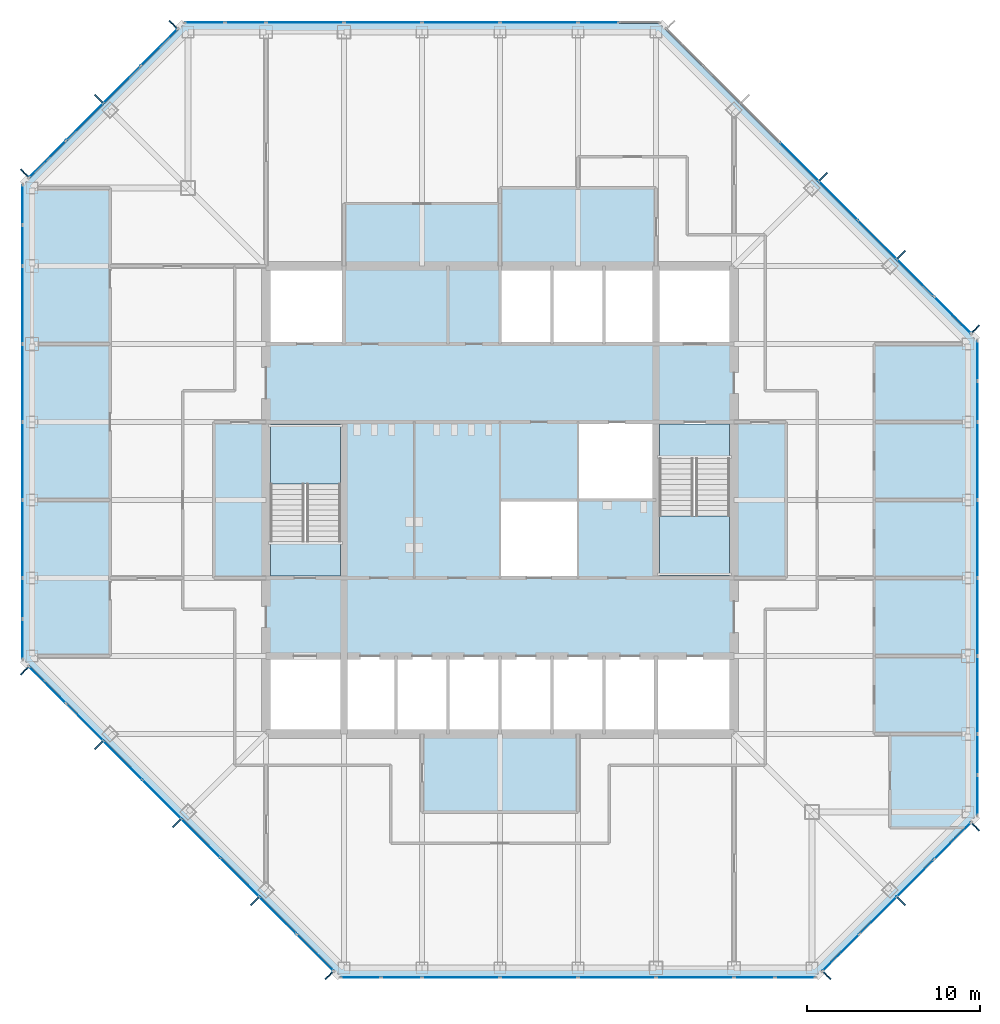
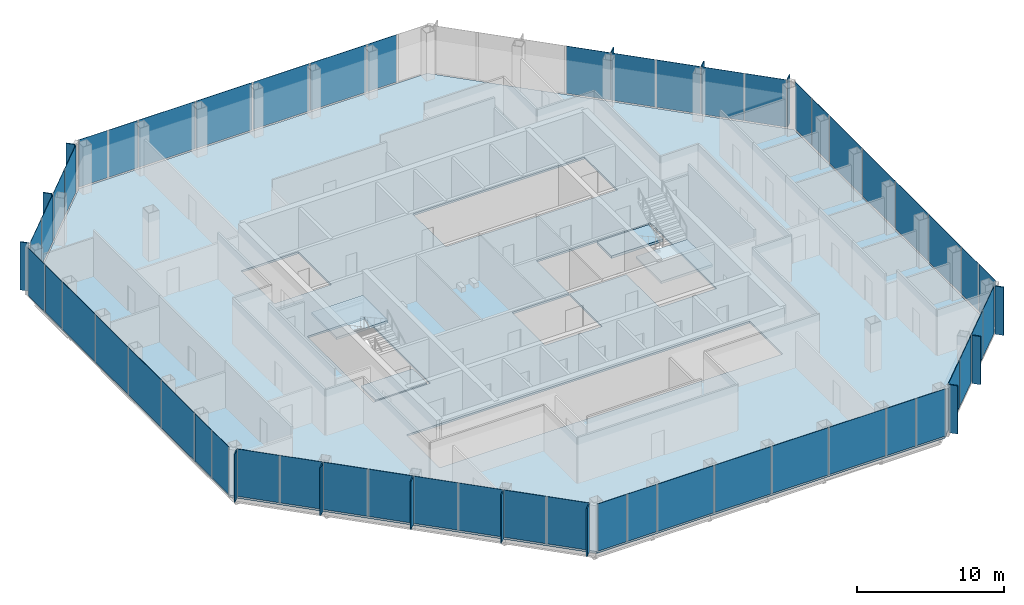
# One storey, part 7 of 13: 66 plates, 5 slabs, 10 elements without a shape of their own.
"""IFC4 building model written with IfcOpenShell, lengths in metres."""

import ifcopenshell
import ifcopenshell.guid

model = None  # the IFC model being written
_history = None  # IfcOwnerHistory: only IFC2X3 demands one
_inside = {}  # id of a spatial element -> (the spatial element, [elements in it])
_under = {}  # id of a project, library or spatial element -> (it, [spatial elements below it])
_declared = {}  # id of a project -> (the project, [libraries it declares])
_typed = {}  # id of a type object -> (the type object, [elements of that type])
_made_of = {}  # id of a material, layer set ... -> (it, [elements and type objects made of it])


def new_model(schema):
    """Start an empty IFC model of exactly this schema.

    Asked for "IFC4X3", IfcOpenShell would pick the latest addendum, in which some entities
    have other attributes; the version numbers below select the first issue.
    IFC2X3 requires an IfcOwnerHistory on every rooted entity: one is made here for all.
    """
    global model, _history
    if schema == "IFC4X3":
        model = ifcopenshell.file(schema_version=(4, 3, 0, 0))
    else:
        model = ifcopenshell.file(schema=schema)
    _inside.clear()
    _under.clear()
    _declared.clear()
    _typed.clear()
    _made_of.clear()
    _history = None
    if model.schema == "IFC2X3":
        org = make("IfcOrganization", Name="unknown")
        user = make(
            "IfcPersonAndOrganization",
            ThePerson=make("IfcPerson", FamilyName="unknown"),
            TheOrganization=org,
        )
        app = make(
            "IfcApplication",
            ApplicationDeveloper=org,
            Version="unknown",
            ApplicationFullName="unknown",
            ApplicationIdentifier="unknown",
        )
        _history = make(
            "IfcOwnerHistory",
            OwningUser=user,
            OwningApplication=app,
            ChangeAction="ADDED",
            CreationDate=0,
        )
    return model


def make(cls, **values):
    """One entity of the class cls with the attributes given. An attribute that is None is left unset."""
    return model.create_entity(
        cls, **{name: value for name, value in values.items() if value is not None}
    )


def rooted(cls, **values):
    """An entity with a GlobalId (a new one), such as an element, a storey or a relation."""
    return make(cls, GlobalId=ifcopenshell.guid.new(), OwnerHistory=_history, **values)


def si_unit(unit_type, name, prefix=None):
    """IfcSIUnit, for example si_unit("LENGTHUNIT", "METRE", prefix="MILLI")."""
    return make("IfcSIUnit", UnitType=unit_type, Prefix=prefix, Name=name)


def assignment(units):
    """IfcUnitAssignment: the units of a project."""
    return None if units is None else make("IfcUnitAssignment", Units=units)


def point(xyz):
    """IfcCartesianPoint."""
    return None if xyz is None else make("IfcCartesianPoint", Coordinates=xyz)


def direction(xyz):
    """IfcDirection."""
    return None if xyz is None else make("IfcDirection", DirectionRatios=xyz)


def frame(location, z_axis=None, x_axis=None):
    """IfcAxis2Placement3D, a coordinate frame: its origin and axes. An axis left out is left unset."""
    return make(
        "IfcAxis2Placement3D",
        Location=point(location),
        Axis=direction(z_axis),
        RefDirection=direction(x_axis),
    )


def frame_2d(location, x_axis=None):
    """IfcAxis2Placement2D, a coordinate frame in the plane: its origin and x axis."""
    return make(
        "IfcAxis2Placement2D", Location=point(location), RefDirection=direction(x_axis)
    )


def origin():
    """The frame at (0, 0, 0) with its axes left unset."""
    return frame((0.0, 0.0, 0.0))


def origin_2d():
    """The frame at (0, 0) in the plane with its x axis left unset."""
    return frame_2d((0.0, 0.0))


def place(relative_to, where):
    """IfcLocalPlacement: puts the frame where relative to a parent placement (None: the world)."""
    return make(
        "IfcLocalPlacement", PlacementRelTo=relative_to, RelativePlacement=where
    )


def context(
    kind, dimensions, precision=None, world=None, true_north=None, identifier=None
):
    """IfcGeometricRepresentationContext, for example the 3D "Model" context."""
    return make(
        "IfcGeometricRepresentationContext",
        ContextIdentifier=identifier,
        ContextType=kind,
        CoordinateSpaceDimension=dimensions,
        Precision=precision,
        WorldCoordinateSystem=world,
        TrueNorth=true_north,
    )


def subcontext(parent, identifier, kind, view, scale=None):
    """IfcGeometricRepresentationSubContext, for example "Body" below "Model"."""
    return make(
        "IfcGeometricRepresentationSubContext",
        ContextIdentifier=identifier,
        ContextType=kind,
        ParentContext=parent,
        TargetScale=scale,
        TargetView=view,
    )


def project(units=None, contexts=None):
    """IfcProject with its units and contexts."""
    return rooted(
        "IfcProject",
        Name="project",
        RepresentationContexts=contexts,
        UnitsInContext=assignment(units),
    )


def spatial(cls, under=None, at=None, **own):
    """A site, building, storey or space (cls), placed at a placement, below another one or the project."""
    s = rooted(cls, ObjectPlacement=at, **own)
    if under is not None:
        _under.setdefault(under.id(), (under, []))[1].append(s)
    return s


def polyline(points):
    """IfcPolyline through the points."""
    return make("IfcPolyline", Points=[point(p) for p in points])


def profile(cls, at=None, kind="AREA", **sizes):
    """A parametric profile (cls). Its sizes go by their IFC names, for example OverallWidth=200.0."""
    return make(cls, ProfileType=kind, Position=at, **sizes)


def rectangle(**sizes):
    """IfcRectangleProfileDef."""
    return profile("IfcRectangleProfileDef", **sizes)


def outline(outer, holes=None, kind="AREA"):
    """IfcArbitraryClosedProfileDef: a profile drawn as a closed curve; with holes, ...WithVoids."""
    if holes is None:
        return make("IfcArbitraryClosedProfileDef", ProfileType=kind, OuterCurve=outer)
    return make(
        "IfcArbitraryProfileDefWithVoids",
        ProfileType=kind,
        OuterCurve=outer,
        InnerCurves=holes,
    )


def extrude(swept, where, along, depth):
    """IfcExtrudedAreaSolid: the profile swept, set in the frame where, extruded along a direction by depth."""
    return make(
        "IfcExtrudedAreaSolid",
        SweptArea=swept,
        Position=where,
        ExtrudedDirection=direction(along),
        Depth=depth,
    )


def shape(context_of_items, identifier, shape_type, items):
    """IfcShapeRepresentation: the items that make up one representation, for example the "Body"."""
    return make(
        "IfcShapeRepresentation",
        ContextOfItems=context_of_items,
        RepresentationIdentifier=identifier,
        RepresentationType=shape_type,
        Items=items,
    )


def material(Name=None, Category=None):
    """IfcMaterial."""
    return make("IfcMaterial", Name=Name, Category=Category)


def layer(
    of_material, thickness, ventilated=None, Name=None, Category=None, Priority=None
):
    """IfcMaterialLayer: one layer of a wall or slab, of a material (None: an air gap)."""
    return make(
        "IfcMaterialLayer",
        Material=of_material,
        LayerThickness=thickness,
        IsVentilated=ventilated,
        Name=Name,
        Category=Category,
        Priority=Priority,
    )


def layer_set(layers, Name=None):
    """IfcMaterialLayerSet."""
    return make("IfcMaterialLayerSet", MaterialLayers=layers, LayerSetName=Name)


def made_of(thing, what):
    """Note that an element or type object is made of a material, layer set ...; save() writes the relation."""
    if what is not None:
        _made_of.setdefault(what.id(), (what, []))[1].append(thing)
    return thing


def type_object(cls, material=None, **own):
    """A type object (cls), such as IfcWallType, which elements share."""
    return made_of(rooted(cls, **own), material)


def element(
    cls,
    number,
    at=None,
    inside=None,
    cuts=None,
    type_object=None,
    material=None,
    context=None,
    identifier="Body",
    shape_type=None,
    held_by="IfcProductDefinitionShape",
    body=None,
    shapes=None,
    **own,
):
    """One element of the class cls, such as IfcWall. Its Tag is "e" and its number.

    at: its placement. inside: the storey or other place that contains it. cuts: it is an
    opening in that element (IfcRelVoidsElement). A single representation is given by context,
    identifier, shape_type and body (its items); several are given by shapes. held_by: the class
    of the entity that holds the representations. save() writes the other relations.
    """
    e = rooted(cls, Tag="e%d" % number, ObjectPlacement=at, **own)
    if body is not None:
        shapes = [shape(context, identifier, shape_type, body)]
    if shapes is not None:
        e.Representation = make(held_by, Representations=shapes)
    if inside is not None:
        _inside.setdefault(inside.id(), (inside, []))[1].append(e)
    if cuts is not None:
        rooted(
            "IfcRelVoidsElement", RelatingBuildingElement=cuts, RelatedOpeningElement=e
        )
    if type_object is not None:
        _typed.setdefault(type_object.id(), (type_object, []))[1].append(e)
    return made_of(e, material)


def aggregate(whole, parts):
    """IfcRelAggregates: a whole, such as a stair, and the parts it consists of."""
    return rooted("IfcRelAggregates", RelatingObject=whole, RelatedObjects=parts)


def save(model, path):
    """Write the relations noted so far, then the file.

    IfcRelAggregates (storeys below a building ...), IfcRelContainedInSpatialStructure (elements
    in a storey), IfcRelDefinesByType, IfcRelAssociatesMaterial and IfcRelDeclares: one each for
    every whole, place, type object, material and project.
    """
    for whole, parts in _under.values():
        aggregate(whole, parts)
    for where, things in _inside.values():
        rooted(
            "IfcRelContainedInSpatialStructure",
            RelatedElements=things,
            RelatingStructure=where,
        )
    for kind, things in _typed.values():
        rooted("IfcRelDefinesByType", RelatedObjects=things, RelatingType=kind)
    for what, things in _made_of.values():
        rooted("IfcRelAssociatesMaterial", RelatedObjects=things, RelatingMaterial=what)
    for by, libraries in _declared.values():
        rooted("IfcRelDeclares", RelatingContext=by, RelatedDefinitions=libraries)
    model.write(path)


model = new_model("IFC4")

# Units and contexts
model_context = context("Model", 3, precision=1e-05, world=origin(), true_north=direction((0.0, 1.0)))
body_context = subcontext(model_context, "Body", "Model", "MODEL_VIEW")
ifc_project = project(units=[si_unit("LENGTHUNIT", "METRE"), si_unit("AREAUNIT", "SQUARE_METRE"), si_unit("VOLUMEUNIT", "CUBIC_METRE"), si_unit("PLANEANGLEUNIT", "RADIAN"), si_unit("MASSUNIT", "GRAM", prefix="KILO")], contexts=[model_context])

# Site, building, storey
site_placement = place(None, origin())
site = spatial("IfcSite", under=ifc_project, at=site_placement, CompositionType="ELEMENT")
building_placement = place(site_placement, origin())
building = spatial("IfcBuilding", under=site, at=building_placement, Name="Corais Broadcast Tower", CompositionType="ELEMENT")
storey_placement = place(building_placement, frame((0.0, 0.0, 179.60009765625)))
storey = spatial("IfcBuildingStorey", under=building, at=storey_placement, Name="L41", CompositionType="ELEMENT", Elevation=179.60009765625)

# Slab
ifc_material_1 = material(Name="Concrete C30/37", Category="concrete")
ifc_layer_1 = layer(ifc_material_1, 0.159912109375)
ifc_layer_set_1 = layer_set([ifc_layer_1], Name="Concrete C30/37")
slab_type_1 = type_object("IfcSlabType", Name="Composite floor slab 160", PredefinedType="FLOOR", material=ifc_layer_set_1)
slab_1_placement = place(storey_placement, frame((0.0, 0.0, -0.16015625)))
element("IfcSlab", 1, at=slab_1_placement, inside=storey, type_object=slab_type_1, Name="S160 floor slab L41", PredefinedType="FLOOR", context=body_context, shape_type="SweptSolid", body=[
    extrude(outline(polyline([(17.80126953125, -0.47998046875), (-0.47998046875, 17.80126953125), (-0.47998046875, 45.19873046875), (8.80126953125, 54.47998046875), (36.19873046875, 54.47998046875), (54.47998046875, 36.19873046875), (54.47998046875, 8.80126953125), (45.19873046875, -0.47998046875), (17.80126953125, -0.47998046875)]), holes=[polyline([(13.5, 18.0), (40.5, 18.0), (40.5, 13.5), (13.5, 13.5), (13.5, 18.0)]), polyline([(18.0, 22.5), (13.5, 22.5), (13.5, 31.5), (18.0, 31.5), (18.0, 22.5)]), polyline([(18.0, 36.0), (13.5, 36.0), (13.5, 40.5), (18.0, 40.5), (18.0, 36.0)]), polyline([(31.5, 22.5), (27.0, 22.5), (27.0, 27.0), (31.4951171875, 27.0), (31.4951171875, 27.0048828125), (31.5, 27.0048828125), (31.5, 31.5), (40.5, 31.5), (40.5, 22.5), (36.0, 22.5), (36.0, 27.0), (31.5048828125, 27.0), (31.5048828125, 26.9951171875), (31.5, 26.9951171875), (31.5, 22.5)]), polyline([(27.0, 40.5), (40.5, 40.5), (40.5, 36.0), (27.0, 36.0), (27.0, 40.5)])]), origin(), (0.0, 0.0, 1.0), 0.16015625),
])

# Curtain wall, plates
ifc_material_2 = material(Name="Aluminium and glass", Category="aluminium")
curtain_wall_type = type_object("IfcCurtainWallType", Name="Unitised fritted curtain wall CW2", PredefinedType="NOTDEFINED", material=ifc_material_2)
curtain_wall_1_placement = place(storey_placement, origin())
curtain_wall_1 = element("IfcCurtainWall", 2, at=curtain_wall_1_placement, inside=storey, type_object=curtain_wall_type, Name="CW2 curtain wall L41 1", PredefinedType="NOTDEFINED")
ifc_material_3 = material(Name="Ceramic-fritted laminated glass", Category="glass")
ifc_layer_2 = layer(ifc_material_3, 0.028076171875)
ifc_layer_set_2 = layer_set([ifc_layer_2], Name="Ceramic-fritted laminated glass")
plate_type_1 = type_object("IfcPlateType", Name="Fritted glass panel CW2", PredefinedType="CURTAIN_PANEL", material=ifc_layer_set_2)
plate_1_placement = place(storey_placement, frame((16.330322265625, 0.891845703125, 0.06494140625), z_axis=(0.0, 0.0, 1.0), x_axis=(-0.707106781187, 0.707106781187, 0.0)))
plate_1 = element("IfcPlate", 3, at=plate_1_placement, type_object=plate_type_1, Name="CW2 panel 1", PredefinedType="CURTAIN_PANEL", context=body_context, shape_type="SweptSolid", body=[
    extrude(rectangle(XDim=2.9482421875, YDim=0.028076171875, at=origin_2d()), origin(), (0.0, 0.0, 1.0), 3.93505859375),
])
plate_2_placement = place(storey_placement, frame((11.986083984375, 5.236083984375, 0.06494140625), z_axis=(0.0, 0.0, 1.0), x_axis=(-0.707106781187, 0.707106781187, 0.0)))
plate_2 = element("IfcPlate", 4, at=plate_2_placement, type_object=plate_type_1, Name="CW2 panel 3", PredefinedType="CURTAIN_PANEL", context=body_context, shape_type="SweptSolid", body=[
    extrude(rectangle(XDim=3.116943359375, YDim=0.028076171875, at=origin_2d()), origin(), (0.0, 0.0, 1.0), 3.93505859375),
])
plate_3_placement = place(storey_placement, frame((7.486083984375, 9.736083984375, 0.06494140625), z_axis=(0.0, 0.0, 1.0), x_axis=(-0.707106781187, 0.707106781187, 0.0)))
plate_3 = element("IfcPlate", 5, at=plate_3_placement, type_object=plate_type_1, Name="CW2 panel 5", PredefinedType="CURTAIN_PANEL", context=body_context, shape_type="SweptSolid", body=[
    extrude(rectangle(XDim=3.116943359375, YDim=0.028076171875, at=origin_2d()), origin(), (0.0, 0.0, 1.0), 3.93505859375),
])
plate_4_placement = place(storey_placement, frame((3.0341796875, 14.18798828125, 0.06494140625), z_axis=(0.0, 0.0, 1.0), x_axis=(-0.707106781187, 0.707106781187, 0.0)))
plate_4 = element("IfcPlate", 6, at=plate_4_placement, type_object=plate_type_1, Name="CW2 panel 7", PredefinedType="CURTAIN_PANEL", context=body_context, shape_type="SweptSolid", body=[
    extrude(rectangle(XDim=2.98095703125, YDim=0.028076171875, at=origin_2d()), origin(), (0.0, 0.0, 1.0), 3.93505859375),
])

curtain_wall_2_placement = place(storey_placement, origin())
curtain_wall_2 = element("IfcCurtainWall", 7, at=curtain_wall_2_placement, inside=storey, type_object=curtain_wall_type, Name="CW2 curtain wall L41 2", PredefinedType="NOTDEFINED")
plate_5_placement = place(storey_placement, frame((-0.550048828125, 18.970458984375, 0.06494140625), z_axis=(0.0, 0.0, 1.0), x_axis=(0.0, 1.0, 0.0)))
plate_5 = element("IfcPlate", 8, at=plate_5_placement, type_object=plate_type_1, Name="CW2 panel 1", PredefinedType="CURTAIN_PANEL", context=body_context, shape_type="SweptSolid", body=[
    extrude(rectangle(XDim=2.266357421875, YDim=0.028076171875, at=origin_2d()), origin(), (0.0, 0.0, 1.0), 3.93505859375),
])
plate_6_placement = place(storey_placement, frame((-0.550048828125, 24.75, 0.06494140625), z_axis=(0.0, 0.0, 1.0), x_axis=(0.0, 1.0, 0.0)))
plate_6 = element("IfcPlate", 9, at=plate_6_placement, type_object=plate_type_1, Name="CW2 panel 3", PredefinedType="CURTAIN_PANEL", context=body_context, shape_type="SweptSolid", body=[
    extrude(rectangle(XDim=4.43505859375, YDim=0.028076171875, at=origin_2d()), origin(), (0.0, 0.0, 1.0), 3.93505859375),
])
plate_7_placement = place(storey_placement, frame((-0.550048828125, 33.75, 0.06494140625), z_axis=(0.0, 0.0, 1.0), x_axis=(0.0, 1.0, 0.0)))
plate_7 = element("IfcPlate", 10, at=plate_7_placement, type_object=plate_type_1, Name="CW2 panel 5", PredefinedType="CURTAIN_PANEL", context=body_context, shape_type="SweptSolid", body=[
    extrude(rectangle(XDim=4.43505859375, YDim=0.028076171875, at=origin_2d()), origin(), (0.0, 0.0, 1.0), 3.93505859375),
])
plate_8_placement = place(storey_placement, frame((-0.550048828125, 41.681884765625, 0.06494140625), z_axis=(0.0, 0.0, 1.0), x_axis=(0.0, 1.0, 0.0)))
plate_8 = element("IfcPlate", 11, at=plate_8_placement, type_object=plate_type_1, Name="CW2 panel 7", PredefinedType="CURTAIN_PANEL", context=body_context, shape_type="SweptSolid", body=[
    extrude(rectangle(XDim=2.298828125, YDim=0.028076171875, at=origin_2d()), origin(), (0.0, 0.0, 1.0), 3.93505859375),
])

curtain_wall_3_placement = place(storey_placement, origin())
curtain_wall_3 = element("IfcCurtainWall", 12, at=curtain_wall_3_placement, inside=storey, type_object=curtain_wall_type, Name="CW2 curtain wall L41 3", PredefinedType="NOTDEFINED")
plate_9_placement = place(storey_placement, frame((0.891845703125, 46.669677734375, 0.06494140625), z_axis=(0.0, 0.0, 1.0), x_axis=(0.707106781187, 0.707106781187, 0.0)))
plate_9 = element("IfcPlate", 13, at=plate_9_placement, type_object=plate_type_1, Name="CW2 panel 1", PredefinedType="CURTAIN_PANEL", context=body_context, shape_type="SweptSolid", body=[
    extrude(rectangle(XDim=2.9482421875, YDim=0.028076171875, at=origin_2d()), origin(), (0.0, 0.0, 1.0), 3.93505859375),
])
plate_10_placement = place(storey_placement, frame((5.18798828125, 50.9658203125, 0.06494140625), z_axis=(0.0, 0.0, 1.0), x_axis=(0.707106781187, 0.707106781187, 0.0)))
plate_10 = element("IfcPlate", 14, at=plate_10_placement, type_object=plate_type_1, Name="CW2 panel 3", PredefinedType="CURTAIN_PANEL", context=body_context, shape_type="SweptSolid", body=[
    extrude(rectangle(XDim=2.98095703125, YDim=0.028076171875, at=origin_2d()), origin(), (0.0, 0.0, 1.0), 3.93505859375),
])

curtain_wall_4_placement = place(storey_placement, origin())
curtain_wall_4 = element("IfcCurtainWall", 15, at=curtain_wall_4_placement, inside=storey, type_object=curtain_wall_type, Name="CW2 curtain wall L41 4", PredefinedType="NOTDEFINED")
plate_11_placement = place(storey_placement, frame((9.970458984375, 54.550048828125, 0.06494140625), z_axis=(0.0, 0.0, 1.0), x_axis=(1.0, 0.0, 0.0)))
plate_11 = element("IfcPlate", 16, at=plate_11_placement, type_object=plate_type_1, Name="CW2 panel 1", PredefinedType="CURTAIN_PANEL", context=body_context, shape_type="SweptSolid", body=[
    extrude(rectangle(XDim=2.266357421875, YDim=0.028076171875, at=origin_2d()), origin(), (0.0, 0.0, 1.0), 3.93505859375),
])
plate_12_placement = place(storey_placement, frame((15.75, 54.550048828125, 0.06494140625), z_axis=(0.0, 0.0, 1.0), x_axis=(1.0, 0.0, 0.0)))
plate_12 = element("IfcPlate", 17, at=plate_12_placement, type_object=plate_type_1, Name="CW2 panel 3", PredefinedType="CURTAIN_PANEL", context=body_context, shape_type="SweptSolid", body=[
    extrude(rectangle(XDim=4.43505859375, YDim=0.028076171875, at=origin_2d()), origin(), (0.0, 0.0, 1.0), 3.93505859375),
])
plate_13_placement = place(storey_placement, frame((24.75, 54.550048828125, 0.06494140625), z_axis=(0.0, 0.0, 1.0), x_axis=(1.0, 0.0, 0.0)))
plate_13 = element("IfcPlate", 18, at=plate_13_placement, type_object=plate_type_1, Name="CW2 panel 5", PredefinedType="CURTAIN_PANEL", context=body_context, shape_type="SweptSolid", body=[
    extrude(rectangle(XDim=4.43505859375, YDim=0.028076171875, at=origin_2d()), origin(), (0.0, 0.0, 1.0), 3.93505859375),
])
plate_14_placement = place(storey_placement, frame((32.681884765625, 54.550048828125, 0.06494140625), z_axis=(0.0, 0.0, 1.0), x_axis=(1.0, 0.0, 0.0)))
plate_14 = element("IfcPlate", 19, at=plate_14_placement, type_object=plate_type_1, Name="CW2 panel 7", PredefinedType="CURTAIN_PANEL", context=body_context, shape_type="SweptSolid", body=[
    extrude(rectangle(XDim=2.298828125, YDim=0.028076171875, at=origin_2d()), origin(), (0.0, 0.0, 1.0), 3.93505859375),
])

curtain_wall_5_placement = place(storey_placement, origin())
curtain_wall_5 = element("IfcCurtainWall", 20, at=curtain_wall_5_placement, inside=storey, type_object=curtain_wall_type, Name="CW2 curtain wall L41 5", PredefinedType="NOTDEFINED")
plate_15_placement = place(storey_placement, frame((46.513916015625, 44.263916015625, 0.06494140625), z_axis=(0.0, 0.0, 1.0), x_axis=(0.707106781187, -0.707106781187, 0.0)))
plate_15 = element("IfcPlate", 21, at=plate_15_placement, type_object=plate_type_1, Name="CW2 panel 5", PredefinedType="CURTAIN_PANEL", context=body_context, shape_type="SweptSolid", body=[
    extrude(rectangle(XDim=3.116943359375, YDim=0.028076171875, at=origin_2d()), origin(), (0.0, 0.0, 1.0), 3.93505859375),
])
plate_16_placement = place(storey_placement, frame((50.9658203125, 39.81201171875, 0.06494140625), z_axis=(0.0, 0.0, 1.0), x_axis=(0.707106781187, -0.707106781187, 0.0)))
plate_16 = element("IfcPlate", 22, at=plate_16_placement, type_object=plate_type_1, Name="CW2 panel 7", PredefinedType="CURTAIN_PANEL", context=body_context, shape_type="SweptSolid", body=[
    extrude(rectangle(XDim=2.98095703125, YDim=0.028076171875, at=origin_2d()), origin(), (0.0, 0.0, 1.0), 3.93505859375),
])

curtain_wall_6_placement = place(storey_placement, origin())
curtain_wall_6 = element("IfcCurtainWall", 23, at=curtain_wall_6_placement, inside=storey, type_object=curtain_wall_type, Name="CW2 curtain wall L41 6", PredefinedType="NOTDEFINED")
plate_17_placement = place(storey_placement, frame((54.550048828125, 35.029541015625, 0.06494140625), z_axis=(0.0, 0.0, 1.0), x_axis=(0.0, -1.0, 0.0)))
plate_17 = element("IfcPlate", 24, at=plate_17_placement, type_object=plate_type_1, Name="CW2 panel 1", PredefinedType="CURTAIN_PANEL", context=body_context, shape_type="SweptSolid", body=[
    extrude(rectangle(XDim=2.266357421875, YDim=0.028076171875, at=origin_2d()), origin(), (0.0, 0.0, 1.0), 3.93505859375),
])
plate_18_placement = place(storey_placement, frame((54.550048828125, 29.25, 0.06494140625), z_axis=(0.0, 0.0, 1.0), x_axis=(0.0, -1.0, 0.0)))
plate_18 = element("IfcPlate", 25, at=plate_18_placement, type_object=plate_type_1, Name="CW2 panel 3", PredefinedType="CURTAIN_PANEL", context=body_context, shape_type="SweptSolid", body=[
    extrude(rectangle(XDim=4.43505859375, YDim=0.028076171875, at=origin_2d()), origin(), (0.0, 0.0, 1.0), 3.93505859375),
])
plate_19_placement = place(storey_placement, frame((54.550048828125, 20.25, 0.06494140625), z_axis=(0.0, 0.0, 1.0), x_axis=(0.0, -1.0, 0.0)))
plate_19 = element("IfcPlate", 26, at=plate_19_placement, type_object=plate_type_1, Name="CW2 panel 5", PredefinedType="CURTAIN_PANEL", context=body_context, shape_type="SweptSolid", body=[
    extrude(rectangle(XDim=4.43505859375, YDim=0.028076171875, at=origin_2d()), origin(), (0.0, 0.0, 1.0), 3.93505859375),
])
plate_20_placement = place(storey_placement, frame((54.550048828125, 12.318115234375, 0.06494140625), z_axis=(0.0, 0.0, 1.0), x_axis=(0.0, -1.0, 0.0)))
plate_20 = element("IfcPlate", 27, at=plate_20_placement, type_object=plate_type_1, Name="CW2 panel 7", PredefinedType="CURTAIN_PANEL", context=body_context, shape_type="SweptSolid", body=[
    extrude(rectangle(XDim=2.298828125, YDim=0.028076171875, at=origin_2d()), origin(), (0.0, 0.0, 1.0), 3.93505859375),
])

curtain_wall_7_placement = place(storey_placement, origin())
curtain_wall_7 = element("IfcCurtainWall", 28, at=curtain_wall_7_placement, inside=storey, type_object=curtain_wall_type, Name="CW2 curtain wall L41 7", PredefinedType="NOTDEFINED")
plate_21_placement = place(storey_placement, frame((53.108154296875, 7.330322265625, 0.06494140625), z_axis=(0.0, 0.0, 1.0), x_axis=(-0.707106781187, -0.707106781187, 0.0)))
plate_21 = element("IfcPlate", 29, at=plate_21_placement, type_object=plate_type_1, Name="CW2 panel 1", PredefinedType="CURTAIN_PANEL", context=body_context, shape_type="SweptSolid", body=[
    extrude(rectangle(XDim=2.9482421875, YDim=0.028076171875, at=origin_2d()), origin(), (0.0, 0.0, 1.0), 3.93505859375),
])
plate_22_placement = place(storey_placement, frame((48.81201171875, 3.0341796875, 0.06494140625), z_axis=(0.0, 0.0, 1.0), x_axis=(-0.707106781187, -0.707106781187, 0.0)))
plate_22 = element("IfcPlate", 30, at=plate_22_placement, type_object=plate_type_1, Name="CW2 panel 3", PredefinedType="CURTAIN_PANEL", context=body_context, shape_type="SweptSolid", body=[
    extrude(rectangle(XDim=2.98095703125, YDim=0.028076171875, at=origin_2d()), origin(), (0.0, 0.0, 1.0), 3.93505859375),
])

curtain_wall_8_placement = place(storey_placement, origin())
curtain_wall_8 = element("IfcCurtainWall", 31, at=curtain_wall_8_placement, inside=storey, type_object=curtain_wall_type, Name="CW2 curtain wall L41 8", PredefinedType="NOTDEFINED")
plate_23_placement = place(storey_placement, frame((44.029541015625, -0.550048828125, 0.06494140625), z_axis=(0.0, 0.0, 1.0), x_axis=(-1.0, 0.0, 0.0)))
plate_23 = element("IfcPlate", 32, at=plate_23_placement, type_object=plate_type_1, Name="CW2 panel 1", PredefinedType="CURTAIN_PANEL", context=body_context, shape_type="SweptSolid", body=[
    extrude(rectangle(XDim=2.266357421875, YDim=0.028076171875, at=origin_2d()), origin(), (0.0, 0.0, 1.0), 3.93505859375),
])
plate_24_placement = place(storey_placement, frame((38.25, -0.550048828125, 0.06494140625), z_axis=(0.0, 0.0, 1.0), x_axis=(-1.0, 0.0, 0.0)))
plate_24 = element("IfcPlate", 33, at=plate_24_placement, type_object=plate_type_1, Name="CW2 panel 3", PredefinedType="CURTAIN_PANEL", context=body_context, shape_type="SweptSolid", body=[
    extrude(rectangle(XDim=4.43505859375, YDim=0.028076171875, at=origin_2d()), origin(), (0.0, 0.0, 1.0), 3.93505859375),
])
plate_25_placement = place(storey_placement, frame((29.25, -0.550048828125, 0.06494140625), z_axis=(0.0, 0.0, 1.0), x_axis=(-1.0, 0.0, 0.0)))
plate_25 = element("IfcPlate", 34, at=plate_25_placement, type_object=plate_type_1, Name="CW2 panel 5", PredefinedType="CURTAIN_PANEL", context=body_context, shape_type="SweptSolid", body=[
    extrude(rectangle(XDim=4.43505859375, YDim=0.028076171875, at=origin_2d()), origin(), (0.0, 0.0, 1.0), 3.93505859375),
])
plate_26_placement = place(storey_placement, frame((21.318115234375, -0.550048828125, 0.06494140625), z_axis=(0.0, 0.0, 1.0), x_axis=(-1.0, 0.0, 0.0)))
plate_26 = element("IfcPlate", 35, at=plate_26_placement, type_object=plate_type_1, Name="CW2 panel 7", PredefinedType="CURTAIN_PANEL", context=body_context, shape_type="SweptSolid", body=[
    extrude(rectangle(XDim=2.298828125, YDim=0.028076171875, at=origin_2d()), origin(), (0.0, 0.0, 1.0), 3.93505859375),
])

# Plate
ifc_material_4 = material(Name="Clear laminated glass", Category="glass")
ifc_layer_3 = layer(ifc_material_4, 0.031982421875)
ifc_layer_set_3 = layer_set([ifc_layer_3], Name="Clear laminated glass")
plate_type_2 = type_object("IfcPlateType", Name="Operable glass panel CW2", PredefinedType="CURTAIN_PANEL", material=ifc_layer_set_3)
plate_27_placement = place(storey_placement, frame((14.18798828125, 3.0341796875, 0.06494140625), z_axis=(0.0, 0.0, 1.0), x_axis=(-0.707106781187, 0.707106781187, 0.0)))
plate_27 = element("IfcPlate", 36, at=plate_27_placement, type_object=plate_type_2, Name="CW2 operable panel 2", PredefinedType="CURTAIN_PANEL", context=body_context, shape_type="SweptSolid", body=[
    extrude(rectangle(XDim=2.98095703125, YDim=0.031982421875, at=origin_2d()), origin(), (0.0, 0.0, 1.0), 3.93505859375),
])

plate_28_placement = place(storey_placement, frame((9.736083984375, 7.486083984375, 0.06494140625), z_axis=(0.0, 0.0, 1.0), x_axis=(-0.707106781187, 0.707106781187, 0.0)))
plate_28 = element("IfcPlate", 37, at=plate_28_placement, type_object=plate_type_2, Name="CW2 operable panel 4", PredefinedType="CURTAIN_PANEL", context=body_context, shape_type="SweptSolid", body=[
    extrude(rectangle(XDim=3.116943359375, YDim=0.031982421875, at=origin_2d()), origin(), (0.0, 0.0, 1.0), 3.93505859375),
])

plate_29_placement = place(storey_placement, frame((5.236083984375, 11.986083984375, 0.06494140625), z_axis=(0.0, 0.0, 1.0), x_axis=(-0.707106781187, 0.707106781187, 0.0)))
plate_29 = element("IfcPlate", 38, at=plate_29_placement, type_object=plate_type_2, Name="CW2 operable panel 6", PredefinedType="CURTAIN_PANEL", context=body_context, shape_type="SweptSolid", body=[
    extrude(rectangle(XDim=3.116943359375, YDim=0.031982421875, at=origin_2d()), origin(), (0.0, 0.0, 1.0), 3.93505859375),
])

plate_30_placement = place(storey_placement, frame((0.89208984375, 16.330322265625, 0.06494140625), z_axis=(0.0, 0.0, 1.0), x_axis=(-0.707106781187, 0.707106781187, 0.0)))
plate_30 = element("IfcPlate", 39, at=plate_30_placement, type_object=plate_type_2, Name="CW2 operable panel 8", PredefinedType="CURTAIN_PANEL", context=body_context, shape_type="SweptSolid", body=[
    extrude(rectangle(XDim=2.948486328125, YDim=0.031982421875, at=origin_2d()), origin(), (0.0, 0.0, 1.0), 3.93505859375),
])

aggregate(curtain_wall_1, [plate_1, plate_27, plate_2, plate_28, plate_3, plate_29, plate_4, plate_30])

plate_31_placement = place(storey_placement, frame((-0.550048828125, 21.318115234375, 0.06494140625), z_axis=(0.0, 0.0, 1.0), x_axis=(0.0, 1.0, 0.0)))
plate_31 = element("IfcPlate", 40, at=plate_31_placement, type_object=plate_type_2, Name="CW2 operable panel 2", PredefinedType="CURTAIN_PANEL", context=body_context, shape_type="SweptSolid", body=[
    extrude(rectangle(XDim=2.298828125, YDim=0.031982421875, at=origin_2d()), origin(), (0.0, 0.0, 1.0), 3.93505859375),
])

plate_32_placement = place(storey_placement, frame((-0.550048828125, 29.25, 0.06494140625), z_axis=(0.0, 0.0, 1.0), x_axis=(0.0, 1.0, 0.0)))
plate_32 = element("IfcPlate", 41, at=plate_32_placement, type_object=plate_type_2, Name="CW2 operable panel 4", PredefinedType="CURTAIN_PANEL", context=body_context, shape_type="SweptSolid", body=[
    extrude(rectangle(XDim=4.43505859375, YDim=0.031982421875, at=origin_2d()), origin(), (0.0, 0.0, 1.0), 3.93505859375),
])

plate_33_placement = place(storey_placement, frame((-0.550048828125, 38.25, 0.06494140625), z_axis=(0.0, 0.0, 1.0), x_axis=(0.0, 1.0, 0.0)))
plate_33 = element("IfcPlate", 42, at=plate_33_placement, type_object=plate_type_2, Name="CW2 operable panel 6", PredefinedType="CURTAIN_PANEL", context=body_context, shape_type="SweptSolid", body=[
    extrude(rectangle(XDim=4.43505859375, YDim=0.031982421875, at=origin_2d()), origin(), (0.0, 0.0, 1.0), 3.93505859375),
])

plate_34_placement = place(storey_placement, frame((-0.550048828125, 44.029541015625, 0.06494140625), z_axis=(0.0, 0.0, 1.0), x_axis=(0.0, 1.0, 0.0)))
plate_34 = element("IfcPlate", 43, at=plate_34_placement, type_object=plate_type_2, Name="CW2 operable panel 8", PredefinedType="CURTAIN_PANEL", context=body_context, shape_type="SweptSolid", body=[
    extrude(rectangle(XDim=2.266357421875, YDim=0.031982421875, at=origin_2d()), origin(), (0.0, 0.0, 1.0), 3.93505859375),
])

aggregate(curtain_wall_2, [plate_5, plate_31, plate_6, plate_32, plate_7, plate_33, plate_8, plate_34])

plate_35_placement = place(storey_placement, frame((3.0341796875, 48.81201171875, 0.06494140625), z_axis=(0.0, 0.0, 1.0), x_axis=(0.707106781187, 0.707106781187, 0.0)))
plate_35 = element("IfcPlate", 44, at=plate_35_placement, type_object=plate_type_2, Name="CW2 operable panel 2", PredefinedType="CURTAIN_PANEL", context=body_context, shape_type="SweptSolid", body=[
    extrude(rectangle(XDim=2.98095703125, YDim=0.031982421875, at=origin_2d()), origin(), (0.0, 0.0, 1.0), 3.93505859375),
])

plate_36_placement = place(storey_placement, frame((7.330322265625, 53.10791015625, 0.06494140625), z_axis=(0.0, 0.0, 1.0), x_axis=(0.707106781187, 0.707106781187, 0.0)))
plate_36 = element("IfcPlate", 45, at=plate_36_placement, type_object=plate_type_2, Name="CW2 operable panel 4", PredefinedType="CURTAIN_PANEL", context=body_context, shape_type="SweptSolid", body=[
    extrude(rectangle(XDim=2.948486328125, YDim=0.031982421875, at=origin_2d()), origin(), (0.0, 0.0, 1.0), 3.93505859375),
])

aggregate(curtain_wall_3, [plate_9, plate_35, plate_10, plate_36])

plate_37_placement = place(storey_placement, frame((12.318115234375, 54.550048828125, 0.06494140625), z_axis=(0.0, 0.0, 1.0), x_axis=(1.0, 0.0, 0.0)))
plate_37 = element("IfcPlate", 46, at=plate_37_placement, type_object=plate_type_2, Name="CW2 operable panel 2", PredefinedType="CURTAIN_PANEL", context=body_context, shape_type="SweptSolid", body=[
    extrude(rectangle(XDim=2.298828125, YDim=0.031982421875, at=origin_2d()), origin(), (0.0, 0.0, 1.0), 3.93505859375),
])

plate_38_placement = place(storey_placement, frame((20.25, 54.550048828125, 0.06494140625), z_axis=(0.0, 0.0, 1.0), x_axis=(1.0, 0.0, 0.0)))
plate_38 = element("IfcPlate", 47, at=plate_38_placement, type_object=plate_type_2, Name="CW2 operable panel 4", PredefinedType="CURTAIN_PANEL", context=body_context, shape_type="SweptSolid", body=[
    extrude(rectangle(XDim=4.43505859375, YDim=0.031982421875, at=origin_2d()), origin(), (0.0, 0.0, 1.0), 3.93505859375),
])

plate_39_placement = place(storey_placement, frame((29.25, 54.550048828125, 0.06494140625), z_axis=(0.0, 0.0, 1.0), x_axis=(1.0, 0.0, 0.0)))
plate_39 = element("IfcPlate", 48, at=plate_39_placement, type_object=plate_type_2, Name="CW2 operable panel 6", PredefinedType="CURTAIN_PANEL", context=body_context, shape_type="SweptSolid", body=[
    extrude(rectangle(XDim=4.43505859375, YDim=0.031982421875, at=origin_2d()), origin(), (0.0, 0.0, 1.0), 3.93505859375),
])

aggregate(curtain_wall_4, [plate_11, plate_37, plate_12, plate_38, plate_13, plate_39, plate_14])

plate_40_placement = place(storey_placement, frame((44.263916015625, 46.513916015625, 0.06494140625), z_axis=(0.0, 0.0, 1.0), x_axis=(0.707106781187, -0.707106781187, 0.0)))
plate_40 = element("IfcPlate", 49, at=plate_40_placement, type_object=plate_type_2, Name="CW2 operable panel 4", PredefinedType="CURTAIN_PANEL", context=body_context, shape_type="SweptSolid", body=[
    extrude(rectangle(XDim=3.116943359375, YDim=0.031982421875, at=origin_2d()), origin(), (0.0, 0.0, 1.0), 3.93505859375),
])

plate_41_placement = place(storey_placement, frame((48.763916015625, 42.013916015625, 0.06494140625), z_axis=(0.0, 0.0, 1.0), x_axis=(0.707106781187, -0.707106781187, 0.0)))
plate_41 = element("IfcPlate", 50, at=plate_41_placement, type_object=plate_type_2, Name="CW2 operable panel 6", PredefinedType="CURTAIN_PANEL", context=body_context, shape_type="SweptSolid", body=[
    extrude(rectangle(XDim=3.116943359375, YDim=0.031982421875, at=origin_2d()), origin(), (0.0, 0.0, 1.0), 3.93505859375),
])

plate_42_placement = place(storey_placement, frame((53.10791015625, 37.669677734375, 0.06494140625), z_axis=(0.0, 0.0, 1.0), x_axis=(0.707106781187, -0.707106781187, 0.0)))
plate_42 = element("IfcPlate", 51, at=plate_42_placement, type_object=plate_type_2, Name="CW2 operable panel 8", PredefinedType="CURTAIN_PANEL", context=body_context, shape_type="SweptSolid", body=[
    extrude(rectangle(XDim=2.948486328125, YDim=0.031982421875, at=origin_2d()), origin(), (0.0, 0.0, 1.0), 3.93505859375),
])

aggregate(curtain_wall_5, [plate_40, plate_15, plate_41, plate_16, plate_42])

plate_43_placement = place(storey_placement, frame((54.550048828125, 32.681884765625, 0.06494140625), z_axis=(0.0, 0.0, 1.0), x_axis=(0.0, -1.0, 0.0)))
plate_43 = element("IfcPlate", 52, at=plate_43_placement, type_object=plate_type_2, Name="CW2 operable panel 2", PredefinedType="CURTAIN_PANEL", context=body_context, shape_type="SweptSolid", body=[
    extrude(rectangle(XDim=2.298828125, YDim=0.031982421875, at=origin_2d()), origin(), (0.0, 0.0, 1.0), 3.93505859375),
])

plate_44_placement = place(storey_placement, frame((54.550048828125, 24.75, 0.06494140625), z_axis=(0.0, 0.0, 1.0), x_axis=(0.0, -1.0, 0.0)))
plate_44 = element("IfcPlate", 53, at=plate_44_placement, type_object=plate_type_2, Name="CW2 operable panel 4", PredefinedType="CURTAIN_PANEL", context=body_context, shape_type="SweptSolid", body=[
    extrude(rectangle(XDim=4.43505859375, YDim=0.031982421875, at=origin_2d()), origin(), (0.0, 0.0, 1.0), 3.93505859375),
])

plate_45_placement = place(storey_placement, frame((54.550048828125, 15.75, 0.06494140625), z_axis=(0.0, 0.0, 1.0), x_axis=(0.0, -1.0, 0.0)))
plate_45 = element("IfcPlate", 54, at=plate_45_placement, type_object=plate_type_2, Name="CW2 operable panel 6", PredefinedType="CURTAIN_PANEL", context=body_context, shape_type="SweptSolid", body=[
    extrude(rectangle(XDim=4.43505859375, YDim=0.031982421875, at=origin_2d()), origin(), (0.0, 0.0, 1.0), 3.93505859375),
])

plate_46_placement = place(storey_placement, frame((54.550048828125, 9.970458984375, 0.06494140625), z_axis=(0.0, 0.0, 1.0), x_axis=(0.0, -1.0, 0.0)))
plate_46 = element("IfcPlate", 55, at=plate_46_placement, type_object=plate_type_2, Name="CW2 operable panel 8", PredefinedType="CURTAIN_PANEL", context=body_context, shape_type="SweptSolid", body=[
    extrude(rectangle(XDim=2.266357421875, YDim=0.031982421875, at=origin_2d()), origin(), (0.0, 0.0, 1.0), 3.93505859375),
])

aggregate(curtain_wall_6, [plate_17, plate_43, plate_18, plate_44, plate_19, plate_45, plate_20, plate_46])

plate_47_placement = place(storey_placement, frame((50.9658203125, 5.18798828125, 0.06494140625), z_axis=(0.0, 0.0, 1.0), x_axis=(-0.707106781187, -0.707106781187, 0.0)))
plate_47 = element("IfcPlate", 56, at=plate_47_placement, type_object=plate_type_2, Name="CW2 operable panel 2", PredefinedType="CURTAIN_PANEL", context=body_context, shape_type="SweptSolid", body=[
    extrude(rectangle(XDim=2.98095703125, YDim=0.031982421875, at=origin_2d()), origin(), (0.0, 0.0, 1.0), 3.93505859375),
])

plate_48_placement = place(storey_placement, frame((46.669677734375, 0.89208984375, 0.06494140625), z_axis=(0.0, 0.0, 1.0), x_axis=(-0.707106781187, -0.707106781187, 0.0)))
plate_48 = element("IfcPlate", 57, at=plate_48_placement, type_object=plate_type_2, Name="CW2 operable panel 4", PredefinedType="CURTAIN_PANEL", context=body_context, shape_type="SweptSolid", body=[
    extrude(rectangle(XDim=2.948486328125, YDim=0.031982421875, at=origin_2d()), origin(), (0.0, 0.0, 1.0), 3.93505859375),
])

aggregate(curtain_wall_7, [plate_21, plate_47, plate_22, plate_48])

plate_49_placement = place(storey_placement, frame((41.681884765625, -0.550048828125, 0.06494140625), z_axis=(0.0, 0.0, 1.0), x_axis=(-1.0, 0.0, 0.0)))
plate_49 = element("IfcPlate", 58, at=plate_49_placement, type_object=plate_type_2, Name="CW2 operable panel 2", PredefinedType="CURTAIN_PANEL", context=body_context, shape_type="SweptSolid", body=[
    extrude(rectangle(XDim=2.298828125, YDim=0.031982421875, at=origin_2d()), origin(), (0.0, 0.0, 1.0), 3.93505859375),
])

plate_50_placement = place(storey_placement, frame((33.75, -0.550048828125, 0.06494140625), z_axis=(0.0, 0.0, 1.0), x_axis=(-1.0, 0.0, 0.0)))
plate_50 = element("IfcPlate", 59, at=plate_50_placement, type_object=plate_type_2, Name="CW2 operable panel 4", PredefinedType="CURTAIN_PANEL", context=body_context, shape_type="SweptSolid", body=[
    extrude(rectangle(XDim=4.43505859375, YDim=0.031982421875, at=origin_2d()), origin(), (0.0, 0.0, 1.0), 3.93505859375),
])

plate_51_placement = place(storey_placement, frame((24.75, -0.550048828125, 0.06494140625), z_axis=(0.0, 0.0, 1.0), x_axis=(-1.0, 0.0, 0.0)))
plate_51 = element("IfcPlate", 60, at=plate_51_placement, type_object=plate_type_2, Name="CW2 operable panel 6", PredefinedType="CURTAIN_PANEL", context=body_context, shape_type="SweptSolid", body=[
    extrude(rectangle(XDim=4.43505859375, YDim=0.031982421875, at=origin_2d()), origin(), (0.0, 0.0, 1.0), 3.93505859375),
])

plate_52_placement = place(storey_placement, frame((18.970458984375, -0.550048828125, 0.06494140625), z_axis=(0.0, 0.0, 1.0), x_axis=(-1.0, 0.0, 0.0)))
plate_52 = element("IfcPlate", 61, at=plate_52_placement, type_object=plate_type_2, Name="CW2 operable panel 8", PredefinedType="CURTAIN_PANEL", context=body_context, shape_type="SweptSolid", body=[
    extrude(rectangle(XDim=2.266357421875, YDim=0.031982421875, at=origin_2d()), origin(), (0.0, 0.0, 1.0), 3.93505859375),
])

aggregate(curtain_wall_8, [plate_23, plate_49, plate_24, plate_50, plate_25, plate_51, plate_26, plate_52])

# Stair, slabs
ifc_material_5 = material(Name="Concrete C30/37", Category="concrete")
stair_type = type_object("IfcStairType", Name="Half-turn stair 4000", PredefinedType="HALF_TURN_STAIR", material=ifc_material_5)
stair_1_placement = place(storey_placement, origin())
stair_1 = element("IfcStair", 62, at=stair_1_placement, inside=storey, type_object=stair_type, Name="Stair A L41", PredefinedType="HALF_TURN_STAIR")
ifc_material_6 = material(Name="Concrete C30/37", Category="concrete")
ifc_layer_4 = layer(ifc_material_6, 0.199951171875)
ifc_layer_set_4 = layer_set([ifc_layer_4], Name="Concrete C30/37")
slab_type_2 = type_object("IfcSlabType", Name="Stair landing 200", PredefinedType="LANDING", material=ifc_layer_set_4)
slab_2_placement = place(storey_placement, frame((0.0, 0.0, -0.2001953125)))
slab_2 = element("IfcSlab", 63, at=slab_2_placement, type_object=slab_type_2, Name="STA landing 1", PredefinedType="LANDING", context=body_context, shape_type="SweptSolid", body=[
    extrude(outline(polyline([(13.75, 22.625), (17.800048828125, 22.625), (17.800048828125, 24.60009765625), (13.75, 24.60009765625), (13.75, 22.625)])), origin(), (0.0, 0.0, 1.0), 0.2001953125),
])
slab_3_placement = place(storey_placement, frame((0.0, 0.0, 1.7998046875)))
slab_3 = element("IfcSlab", 64, at=slab_3_placement, type_object=slab_type_2, Name="STA landing 2", PredefinedType="LANDING", context=body_context, shape_type="SweptSolid", body=[
    extrude(outline(polyline([(13.75, 27.922119140625), (17.800048828125, 27.922119140625), (17.800048828125, 31.375), (13.75, 31.375), (13.75, 27.922119140625)])), origin(), (0.0, 0.0, 1.0), 0.2001953125),
])
aggregate(stair_1, [slab_2, slab_3])

stair_2_placement = place(storey_placement, origin())
stair_2 = element("IfcStair", 65, at=stair_2_placement, inside=storey, type_object=stair_type, Name="Stair B L41", PredefinedType="HALF_TURN_STAIR")
slab_4_placement = place(storey_placement, frame((0.0, 0.0, -0.2001953125)))
slab_4 = element("IfcSlab", 66, at=slab_4_placement, type_object=slab_type_2, Name="STB landing 1", PredefinedType="LANDING", context=body_context, shape_type="SweptSolid", body=[
    extrude(outline(polyline([(36.199951171875, 29.39990234375), (40.25, 29.39990234375), (40.25, 31.375), (36.199951171875, 31.375), (36.199951171875, 29.39990234375)])), origin(), (0.0, 0.0, 1.0), 0.2001953125),
])
slab_5_placement = place(storey_placement, frame((0.0, 0.0, 1.7998046875)))
slab_5 = element("IfcSlab", 67, at=slab_5_placement, type_object=slab_type_2, Name="STB landing 2", PredefinedType="LANDING", context=body_context, shape_type="SweptSolid", body=[
    extrude(outline(polyline([(36.199951171875, 22.625), (40.25, 22.625), (40.25, 26.077880859375), (36.199951171875, 26.077880859375), (36.199951171875, 22.625)])), origin(), (0.0, 0.0, 1.0), 0.2001953125),
])
aggregate(stair_2, [slab_4, slab_5])

# Plates
ifc_material_7 = material(Name="Granite stone cladding", Category="masonry")
ifc_layer_5 = layer(ifc_material_7, 0.080078125)
ifc_layer_set_5 = layer_set([ifc_layer_5], Name="Granite stone cladding")
plate_type_3 = type_object("IfcPlateType", Name="Stone screen fin 80x600", PredefinedType="USERDEFINED", material=ifc_layer_set_5)
for number, where, z_axis, x_axis, name in (
    (68, (17.1220703125, -0.447021484375, 0.0), (0.0, 0.0, 1.0), (-0.707106781187, 0.707106781187, 0.0), "SF1 stone screen fin L41"),
    (69, (12.83740234375, 3.83740234375, 0.0), (0.0, 0.0, 1.0), (-0.707106781187, 0.707106781187, 0.0), "SF1 stone screen fin L41"),
    (70, (8.33740234375, 8.33740234375, 0.0), (0.0, 0.0, 1.0), (-0.707106781187, 0.707106781187, 0.0), "SF1 stone screen fin L41"),
    (71, (3.83740234375, 12.83740234375, 0.0), (0.0, 0.0, 1.0), (-0.707106781187, 0.707106781187, 0.0), "SF1 stone screen fin L41"),
    (72, (-0.447021484375, 17.1220703125, 0.0), (0.0, 0.0, 1.0), (-0.707106781187, 0.707106781187, 0.0), "SF1 stone screen fin L41"),
    (73, (-0.447021484375, 45.8779296875, 0.0), (0.0, 0.0, 1.0), (0.707106781187, 0.707106781187, 0.0), "SF1 stone screen fin L41"),
    (74, (3.83740234375, 50.16259765625, 0.0), (0.0, 0.0, 1.0), (0.707106781187, 0.707106781187, 0.0), "SF1 stone screen fin L41"),
    (75, (8.1220703125, 54.447021484375, 0.0), (0.0, 0.0, 1.0), (0.707106781187, 0.707106781187, 0.0), "SF1 stone screen fin L41"),
    (76, (45.66259765625, 45.66259765625, 0.0), (0.0, 0.0, 1.0), (0.707106781187, -0.707106781187, 0.0), "SF1 stone screen fin L41"),
    (77, (50.16259765625, 41.16259765625, 0.0), (0.0, 0.0, 1.0), (0.707106781187, -0.707106781187, 0.0), "SF1 stone screen fin L41"),
    (78, (54.447021484375, 36.8779296875, 0.0), (0.0, 0.0, 1.0), (0.707106781187, -0.707106781187, 0.0), "SF1 stone screen fin L41"),
    (79, (54.447021484375, 8.1220703125, 0.0), (0.0, 0.0, 1.0), (-0.707106781187, -0.707106781187, 0.0), "SF1 stone screen fin L41"),
    (80, (50.16259765625, 3.83740234375, 0.0), (0.0, 0.0, 1.0), (-0.707106781187, -0.707106781187, 0.0), "SF1 stone screen fin L41"),
    (81, (45.8779296875, -0.447021484375, 0.0), (0.0, 0.0, 1.0), (-0.707106781187, -0.707106781187, 0.0), "SF1 stone screen fin L41"),
):
    element("IfcPlate", number, at=place(storey_placement, frame(where, z_axis=z_axis, x_axis=x_axis)), inside=storey, type_object=plate_type_3, Name=name, ObjectType="STONE SCREEN FIN", PredefinedType="USERDEFINED", context=body_context, shape_type="SweptSolid", body=[
        extrude(rectangle(XDim=0.080078125, YDim=0.60009765625, at=origin_2d()), origin(), (0.0, 0.0, 1.0), 4.0),
    ])

save(model, "model.ifc")
